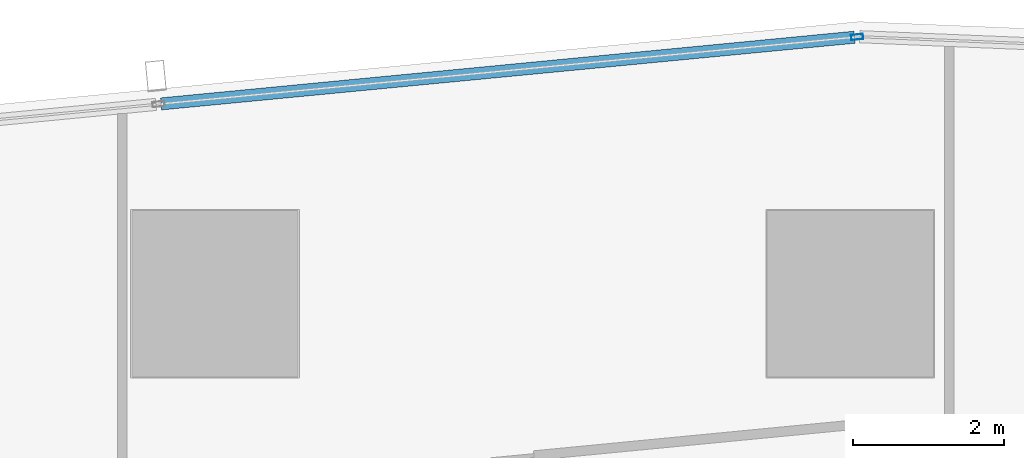
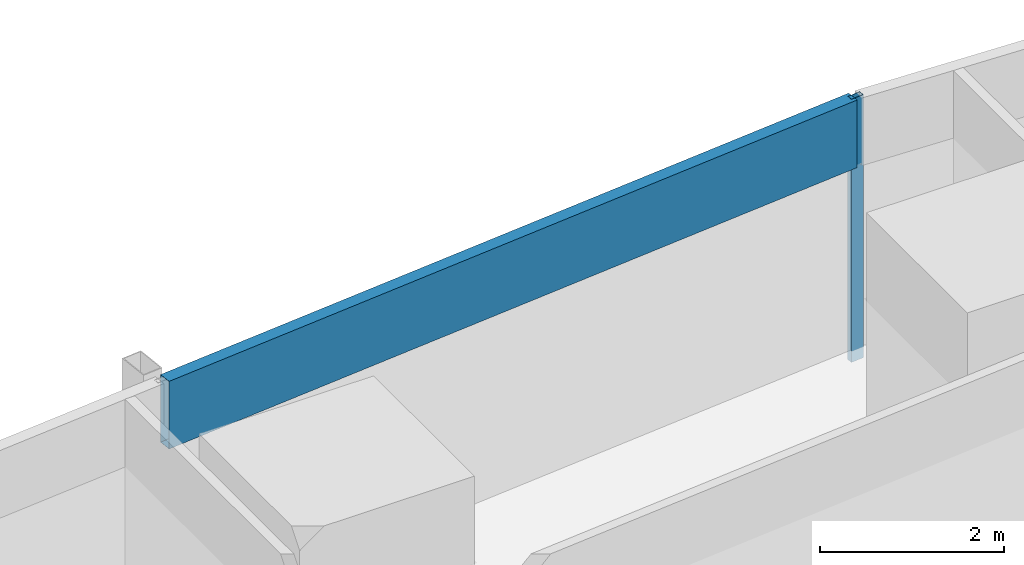
# One storey, part 17 of 44: 2 members, 1 element without a shape of its own.
"""IFC4 building model written with IfcOpenShell, lengths in metres."""

import ifcopenshell
import ifcopenshell.guid

model = None  # the IFC model being written
_history = None  # IfcOwnerHistory: only IFC2X3 demands one
_inside = {}  # id of a spatial element -> (the spatial element, [elements in it])
_under = {}  # id of a project, library or spatial element -> (it, [spatial elements below it])
_declared = {}  # id of a project -> (the project, [libraries it declares])
_typed = {}  # id of a type object -> (the type object, [elements of that type])
_made_of = {}  # id of a material, layer set ... -> (it, [elements and type objects made of it])


def new_model(schema):
    """Start an empty IFC model of exactly this schema.

    Asked for "IFC4X3", IfcOpenShell would pick the latest addendum, in which some entities
    have other attributes; the version numbers below select the first issue.
    IFC2X3 requires an IfcOwnerHistory on every rooted entity: one is made here for all.
    """
    global model, _history
    if schema == "IFC4X3":
        model = ifcopenshell.file(schema_version=(4, 3, 0, 0))
    else:
        model = ifcopenshell.file(schema=schema)
    _inside.clear()
    _under.clear()
    _declared.clear()
    _typed.clear()
    _made_of.clear()
    _history = None
    if model.schema == "IFC2X3":
        org = make("IfcOrganization", Name="unknown")
        user = make(
            "IfcPersonAndOrganization",
            ThePerson=make("IfcPerson", FamilyName="unknown"),
            TheOrganization=org,
        )
        app = make(
            "IfcApplication",
            ApplicationDeveloper=org,
            Version="unknown",
            ApplicationFullName="unknown",
            ApplicationIdentifier="unknown",
        )
        _history = make(
            "IfcOwnerHistory",
            OwningUser=user,
            OwningApplication=app,
            ChangeAction="ADDED",
            CreationDate=0,
        )
    return model


def make(cls, **values):
    """One entity of the class cls with the attributes given. An attribute that is None is left unset."""
    return model.create_entity(
        cls, **{name: value for name, value in values.items() if value is not None}
    )


def rooted(cls, **values):
    """An entity with a GlobalId (a new one), such as an element, a storey or a relation."""
    return make(cls, GlobalId=ifcopenshell.guid.new(), OwnerHistory=_history, **values)


def si_unit(unit_type, name, prefix=None):
    """IfcSIUnit, for example si_unit("LENGTHUNIT", "METRE", prefix="MILLI")."""
    return make("IfcSIUnit", UnitType=unit_type, Prefix=prefix, Name=name)


def assignment(units):
    """IfcUnitAssignment: the units of a project."""
    return None if units is None else make("IfcUnitAssignment", Units=units)


def point(xyz):
    """IfcCartesianPoint."""
    return None if xyz is None else make("IfcCartesianPoint", Coordinates=xyz)


def direction(xyz):
    """IfcDirection."""
    return None if xyz is None else make("IfcDirection", DirectionRatios=xyz)


def frame(location, z_axis=None, x_axis=None):
    """IfcAxis2Placement3D, a coordinate frame: its origin and axes. An axis left out is left unset."""
    return make(
        "IfcAxis2Placement3D",
        Location=point(location),
        Axis=direction(z_axis),
        RefDirection=direction(x_axis),
    )


def frame_2d(location, x_axis=None):
    """IfcAxis2Placement2D, a coordinate frame in the plane: its origin and x axis."""
    return make(
        "IfcAxis2Placement2D", Location=point(location), RefDirection=direction(x_axis)
    )


def origin():
    """The frame at (0, 0, 0) with its axes left unset."""
    return frame((0.0, 0.0, 0.0))


def origin_2d():
    """The frame at (0, 0) in the plane with its x axis left unset."""
    return frame_2d((0.0, 0.0))


def place(relative_to, where):
    """IfcLocalPlacement: puts the frame where relative to a parent placement (None: the world)."""
    return make(
        "IfcLocalPlacement", PlacementRelTo=relative_to, RelativePlacement=where
    )


def context(
    kind, dimensions, precision=None, world=None, true_north=None, identifier=None
):
    """IfcGeometricRepresentationContext, for example the 3D "Model" context."""
    return make(
        "IfcGeometricRepresentationContext",
        ContextIdentifier=identifier,
        ContextType=kind,
        CoordinateSpaceDimension=dimensions,
        Precision=precision,
        WorldCoordinateSystem=world,
        TrueNorth=true_north,
    )


def subcontext(parent, identifier, kind, view, scale=None):
    """IfcGeometricRepresentationSubContext, for example "Body" below "Model"."""
    return make(
        "IfcGeometricRepresentationSubContext",
        ContextIdentifier=identifier,
        ContextType=kind,
        ParentContext=parent,
        TargetScale=scale,
        TargetView=view,
    )


def project(units=None, contexts=None):
    """IfcProject with its units and contexts."""
    return rooted(
        "IfcProject",
        Name="project",
        RepresentationContexts=contexts,
        UnitsInContext=assignment(units),
    )


def spatial(cls, under=None, at=None, **own):
    """A site, building, storey or space (cls), placed at a placement, below another one or the project."""
    s = rooted(cls, ObjectPlacement=at, **own)
    if under is not None:
        _under.setdefault(under.id(), (under, []))[1].append(s)
    return s


def profile(cls, at=None, kind="AREA", **sizes):
    """A parametric profile (cls). Its sizes go by their IFC names, for example OverallWidth=200.0."""
    return make(cls, ProfileType=kind, Position=at, **sizes)


def hollow_rectangle(**sizes):
    """IfcRectangleHollowProfileDef."""
    return profile("IfcRectangleHollowProfileDef", **sizes)


def extrude(swept, where, along, depth):
    """IfcExtrudedAreaSolid: the profile swept, set in the frame where, extruded along a direction by depth."""
    return make(
        "IfcExtrudedAreaSolid",
        SweptArea=swept,
        Position=where,
        ExtrudedDirection=direction(along),
        Depth=depth,
    )


def shape(context_of_items, identifier, shape_type, items):
    """IfcShapeRepresentation: the items that make up one representation, for example the "Body"."""
    return make(
        "IfcShapeRepresentation",
        ContextOfItems=context_of_items,
        RepresentationIdentifier=identifier,
        RepresentationType=shape_type,
        Items=items,
    )


def material(Name=None, Category=None):
    """IfcMaterial."""
    return make("IfcMaterial", Name=Name, Category=Category)


def material_profile(
    of_material, cross_section, Name=None, Category=None, Priority=None
):
    """IfcMaterialProfile: a cross section and its material."""
    return make(
        "IfcMaterialProfile",
        Name=Name,
        Material=of_material,
        Profile=cross_section,
        Priority=Priority,
        Category=Category,
    )


def profile_set(profiles, Name=None, composite=None):
    """IfcMaterialProfileSet."""
    return make(
        "IfcMaterialProfileSet",
        Name=Name,
        MaterialProfiles=profiles,
        CompositeProfile=composite,
    )


def made_of(thing, what):
    """Note that an element or type object is made of a material, layer set ...; save() writes the relation."""
    if what is not None:
        _made_of.setdefault(what.id(), (what, []))[1].append(thing)
    return thing


def type_object(cls, material=None, **own):
    """A type object (cls), such as IfcWallType, which elements share."""
    return made_of(rooted(cls, **own), material)


def element(
    cls,
    number,
    at=None,
    inside=None,
    cuts=None,
    type_object=None,
    material=None,
    context=None,
    identifier="Body",
    shape_type=None,
    held_by="IfcProductDefinitionShape",
    body=None,
    shapes=None,
    **own,
):
    """One element of the class cls, such as IfcWall. Its Tag is "e" and its number.

    at: its placement. inside: the storey or other place that contains it. cuts: it is an
    opening in that element (IfcRelVoidsElement). A single representation is given by context,
    identifier, shape_type and body (its items); several are given by shapes. held_by: the class
    of the entity that holds the representations. save() writes the other relations.
    """
    e = rooted(cls, Tag="e%d" % number, ObjectPlacement=at, **own)
    if body is not None:
        shapes = [shape(context, identifier, shape_type, body)]
    if shapes is not None:
        e.Representation = make(held_by, Representations=shapes)
    if inside is not None:
        _inside.setdefault(inside.id(), (inside, []))[1].append(e)
    if cuts is not None:
        rooted(
            "IfcRelVoidsElement", RelatingBuildingElement=cuts, RelatedOpeningElement=e
        )
    if type_object is not None:
        _typed.setdefault(type_object.id(), (type_object, []))[1].append(e)
    return made_of(e, material)


def aggregate(whole, parts):
    """IfcRelAggregates: a whole, such as a stair, and the parts it consists of."""
    return rooted("IfcRelAggregates", RelatingObject=whole, RelatedObjects=parts)


def save(model, path):
    """Write the relations noted so far, then the file.

    IfcRelAggregates (storeys below a building ...), IfcRelContainedInSpatialStructure (elements
    in a storey), IfcRelDefinesByType, IfcRelAssociatesMaterial and IfcRelDeclares: one each for
    every whole, place, type object, material and project.
    """
    for whole, parts in _under.values():
        aggregate(whole, parts)
    for where, things in _inside.values():
        rooted(
            "IfcRelContainedInSpatialStructure",
            RelatedElements=things,
            RelatingStructure=where,
        )
    for kind, things in _typed.values():
        rooted("IfcRelDefinesByType", RelatedObjects=things, RelatingType=kind)
    for what, things in _made_of.values():
        rooted("IfcRelAssociatesMaterial", RelatedObjects=things, RelatingMaterial=what)
    for by, libraries in _declared.values():
        rooted("IfcRelDeclares", RelatingContext=by, RelatedDefinitions=libraries)
    model.write(path)


model = new_model("IFC4")

# Units and contexts
model_context = context("Model", 3, precision=1e-05, world=origin(), true_north=direction((0.0, 1.0)))
body_context = subcontext(model_context, "Body", "Model", "MODEL_VIEW")
ifc_project = project(units=[si_unit("LENGTHUNIT", "METRE"), si_unit("AREAUNIT", "SQUARE_METRE"), si_unit("VOLUMEUNIT", "CUBIC_METRE"), si_unit("PLANEANGLEUNIT", "RADIAN"), si_unit("MASSUNIT", "GRAM", prefix="KILO")], contexts=[model_context])

# Site, building, storey
site_placement = place(None, origin())
site = spatial("IfcSite", under=ifc_project, at=site_placement, CompositionType="ELEMENT")
building_placement = place(site_placement, origin())
building = spatial("IfcBuilding", under=site, at=building_placement, Name="Rekha Terrace Tower", CompositionType="ELEMENT")
storey_placement = place(building_placement, frame((0.0, 0.0, 62.89990234375)))
storey = spatial("IfcBuildingStorey", under=building, at=storey_placement, Name="L15", CompositionType="ELEMENT", Elevation=62.89990234375)

# Curtain wall, members
ifc_material_1 = material(Name="Aluminium framing", Category="aluminium")
curtain_wall_type = type_object("IfcCurtainWallType", Name="CW3 north unitised glazing", PredefinedType="USERDEFINED", material=ifc_material_1)
curtain_wall_placement = place(storey_placement, origin())
curtain_wall = element("IfcCurtainWall", 1, at=curtain_wall_placement, inside=storey, type_object=curtain_wall_type, Name="CW3 unitised curtain wall", ObjectType="UNITISED CURTAIN WALL", PredefinedType="USERDEFINED")
ifc_material_2 = material(Name="Aluminium mullion section", Category="aluminium")
ifc_material_profile_1 = material_profile(ifc_material_2, hollow_rectangle(XDim=0.070068359375, YDim=0.159912109375, WallThickness=0.00390625, at=origin_2d()), Name="AL RHS 70x160")
ifc_profile_set_1 = profile_set([ifc_material_profile_1], Name="Aluminium mullion section")
member_type_1 = type_object("IfcMemberType", Name="CW3 mullion RHS 70 x 160", PredefinedType="MULLION", material=ifc_profile_set_1)
member_1_placement = place(storey_placement, frame((25.29052734375, 62.1962890625, 0.0), z_axis=(0.0, 0.0, 1.0), x_axis=(0.095712406625, -0.995409029102, 0.0)))
member_1 = element("IfcMember", 2, at=member_1_placement, type_object=member_type_1, Name="CW3 mullion 1", PredefinedType="MULLION", context=body_context, shape_type="SweptSolid", body=[
    extrude(hollow_rectangle(XDim=0.070068359375, YDim=0.159912109375, WallThickness=0.00390625, at=origin_2d()), origin(), (0.0, 0.0, 1.0), 3.5),
])
ifc_material_3 = material(Name="Insulated aluminium spandrel box", Category="aluminium")
ifc_material_profile_2 = material_profile(ifc_material_3, hollow_rectangle(XDim=0.159912109375, YDim=0.89990234375, WallThickness=0.0029296875, at=origin_2d()), Name="AL SPANDREL BOX 160x900")
ifc_profile_set_2 = profile_set([ifc_material_profile_2], Name="Insulated aluminium spandrel box")
member_type_2 = type_object("IfcMemberType", Name="CW3 spandrel transom 160 x 900", PredefinedType="USERDEFINED", material=ifc_profile_set_2)
member_2_placement = place(storey_placement, frame((25.255859375, 62.19287109375, 3.050048828125), z_axis=(-0.995408446287, -0.095718467713, 0.0), x_axis=(0.095718467713, -0.995408446287, 0.0)))
member_2 = element("IfcMember", 3, at=member_2_placement, type_object=member_type_2, Name="CW3 spandrel transom 1", ObjectType="TRANSOM", PredefinedType="USERDEFINED", context=body_context, shape_type="SweptSolid", body=[
    extrude(hollow_rectangle(XDim=0.159912109375, YDim=0.89990234375, WallThickness=0.0029296875, at=origin_2d()), origin(), (0.0, 0.0, 1.0), 9.210205078125),
])
aggregate(curtain_wall, [member_1, member_2])

save(model, "model.ifc")
